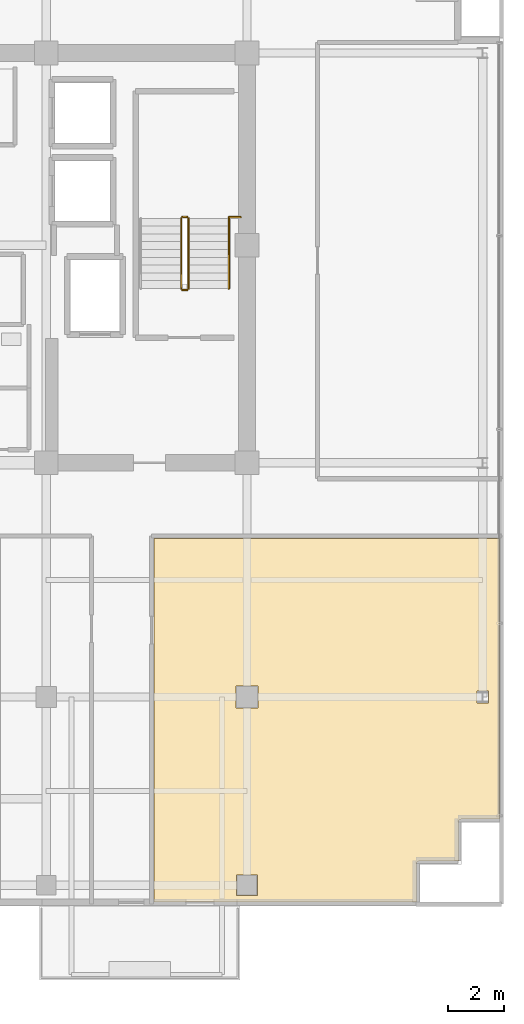
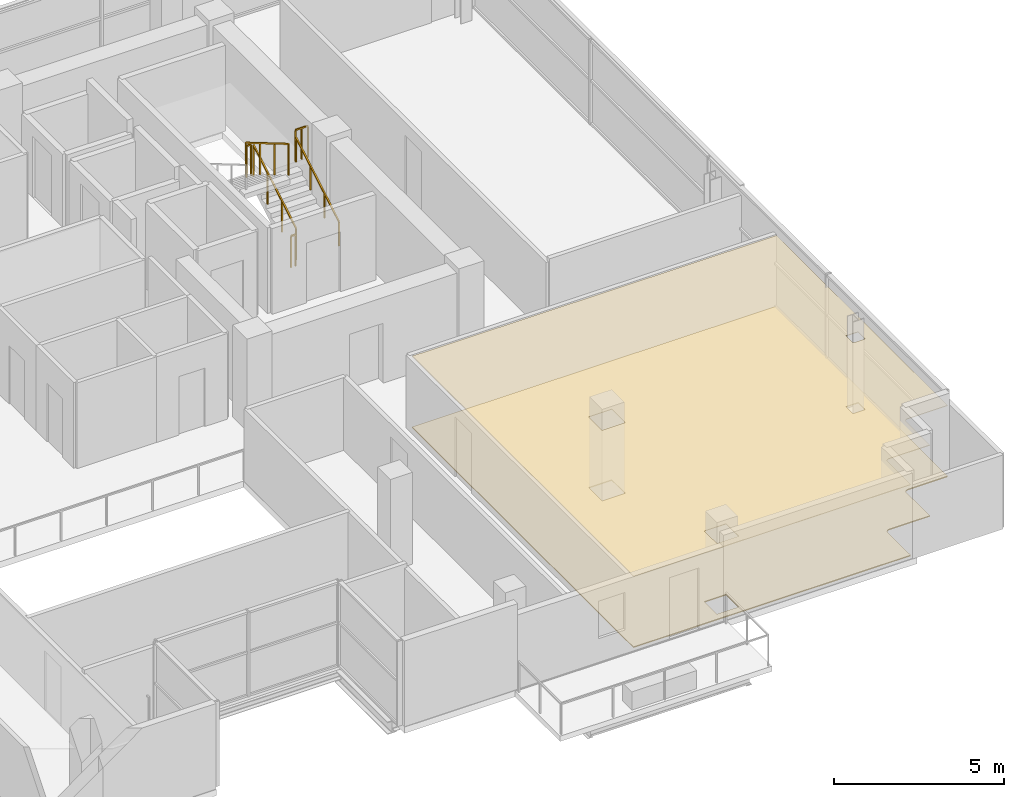
# One storey, part 22 of 24: 6 railings, 2 coverings.
"""IFC4 building model written with IfcOpenShell, lengths in metres."""

from ifc_helpers import new_model, si_unit, direction, frame, origin, origin_2d, place, context, subcontext, project, spatial, polyline, rectangle, outline, extrude, material, layer, layer_set, type_object, element, save


model = new_model("IFC4")

# Units and contexts
model_context = context("Model", 3, precision=1e-05, world=origin(), true_north=direction((0.0, 1.0)))
body_context = subcontext(model_context, "Body", "Model", "MODEL_VIEW")
ifc_project = project(units=[si_unit("LENGTHUNIT", "METRE"), si_unit("AREAUNIT", "SQUARE_METRE"), si_unit("VOLUMEUNIT", "CUBIC_METRE"), si_unit("PLANEANGLEUNIT", "RADIAN"), si_unit("MASSUNIT", "GRAM", prefix="KILO")], contexts=[model_context])

# Site, building, storey
site_placement = place(None, origin())
site = spatial("IfcSite", under=ifc_project, at=site_placement, CompositionType="ELEMENT")
building_placement = place(site_placement, origin())
building = spatial("IfcBuilding", under=site, at=building_placement, Name="Zarnakvel Exchange Tower", CompositionType="ELEMENT")
storey_placement = place(building_placement, frame((0.0, 0.0, 235.300048828125)))
storey = spatial("IfcBuildingStorey", under=building, at=storey_placement, Name="L66", CompositionType="ELEMENT", Elevation=235.300048828125)

# Coverings
ifc_material_1 = material(Name="Perforated Bronze Acoustic Metal Ceiling", Category="aluminium")
ifc_layer_1 = layer(ifc_material_1, 0.02001953125)
ifc_layer_set_1 = layer_set([ifc_layer_1], Name="Perforated Bronze Acoustic Metal Ceiling")
covering_type_1 = type_object("IfcCoveringType", Name="CLG-01", PredefinedType="CEILING", material=ifc_layer_set_1)
covering_1_placement = place(storey_placement, frame((0.0, 0.0, 2.554931640625)))
element("IfcCovering", 1, at=covering_1_placement, inside=storey, type_object=covering_type_1, Name="L66 Suspended Acoustic Ceiling (Seminar Room)", PredefinedType="CEILING", context=body_context, shape_type="SweptSolid", body=[
    extrude(outline(polyline([(11.06005859375, -3.909912109375), (23.449951171875, -3.909912109375), (23.449951171875, -13.97998046875), (22.10009765625, -13.97998046875), (22.088134765625, -13.98046875), (22.07666015625, -13.982421875), (22.065185546875, -13.985107421875), (22.05419921875, -13.989013671875), (22.04345703125, -13.994140625), (22.033447265625, -14.000244140625), (22.02392578125, -14.00732421875), (22.01513671875, -14.01513671875), (22.00732421875, -14.02392578125), (22.000244140625, -14.033447265625), (21.994140625, -14.04345703125), (21.989013671875, -14.05419921875), (21.985107421875, -14.065185546875), (21.982421875, -14.07666015625), (21.98046875, -14.088134765625), (21.97998046875, -14.10009765625), (21.97998046875, -15.47998046875), (20.60009765625, -15.47998046875), (20.588134765625, -15.48046875), (20.57666015625, -15.482421875), (20.565185546875, -15.485107421875), (20.55419921875, -15.489013671875), (20.54345703125, -15.494140625), (20.533447265625, -15.500244140625), (20.52392578125, -15.50732421875), (20.51513671875, -15.51513671875), (20.50732421875, -15.52392578125), (20.500244140625, -15.533447265625), (20.494140625, -15.54345703125), (20.489013671875, -15.55419921875), (20.485107421875, -15.565185546875), (20.482421875, -15.57666015625), (20.48046875, -15.588134765625), (20.47998046875, -15.60009765625), (20.47998046875, -16.949951171875), (11.06005859375, -16.949951171875), (11.06005859375, -3.909912109375)]), holes=[polyline([(23.057373046875, -9.807373046875), (23.057373046875, -9.392578125), (22.642578125, -9.392578125), (22.642578125, -9.807373046875), (23.057373046875, -9.807373046875)]), polyline([(14.794921875, -9.9951171875), (14.794921875, -9.205078125), (14.0048828125, -9.205078125), (14.0048828125, -9.9951171875), (14.794921875, -9.9951171875)]), polyline([(14.77001953125, -16.719970703125), (14.77001953125, -15.97998046875), (14.030029296875, -15.97998046875), (14.030029296875, -16.719970703125), (14.77001953125, -16.719970703125)])]), origin(), (0.0, 0.0, 1.0), 0.02001953125),
])
ifc_material_2 = material(Name="Heavy-Duty Raised Access Floor Panel", Category="steel")
ifc_layer_2 = layer(ifc_material_2, 0.034912109375)
ifc_layer_set_2 = layer_set([ifc_layer_2], Name="Heavy-Duty Raised Access Floor Panel")
covering_type_2 = type_object("IfcCoveringType", Name="FLR-02", PredefinedType="FLOORING", material=ifc_layer_set_2)
covering_2_placement = place(storey_placement, origin())
element("IfcCovering", 2, at=covering_2_placement, inside=storey, type_object=covering_type_2, Name="L66 Floor Finish (Seminar Room)", PredefinedType="FLOORING", context=body_context, shape_type="SweptSolid", body=[
    extrude(outline(polyline([(11.06005859375, -3.909912109375), (23.449951171875, -3.909912109375), (23.449951171875, -13.97998046875), (22.10009765625, -13.97998046875), (22.088134765625, -13.98046875), (22.07666015625, -13.982421875), (22.065185546875, -13.985107421875), (22.05419921875, -13.989013671875), (22.04345703125, -13.994140625), (22.033447265625, -14.000244140625), (22.02392578125, -14.00732421875), (22.01513671875, -14.01513671875), (22.00732421875, -14.02392578125), (22.000244140625, -14.033447265625), (21.994140625, -14.04345703125), (21.989013671875, -14.05419921875), (21.985107421875, -14.065185546875), (21.982421875, -14.07666015625), (21.98046875, -14.088134765625), (21.97998046875, -14.10009765625), (21.97998046875, -15.47998046875), (20.60009765625, -15.47998046875), (20.588134765625, -15.48046875), (20.57666015625, -15.482421875), (20.565185546875, -15.485107421875), (20.55419921875, -15.489013671875), (20.54345703125, -15.494140625), (20.533447265625, -15.500244140625), (20.52392578125, -15.50732421875), (20.51513671875, -15.51513671875), (20.50732421875, -15.52392578125), (20.500244140625, -15.533447265625), (20.494140625, -15.54345703125), (20.489013671875, -15.55419921875), (20.485107421875, -15.565185546875), (20.482421875, -15.57666015625), (20.48046875, -15.588134765625), (20.47998046875, -15.60009765625), (20.47998046875, -16.949951171875), (11.06005859375, -16.949951171875), (11.06005859375, -3.909912109375)]), holes=[polyline([(23.057373046875, -9.807373046875), (23.057373046875, -9.392578125), (22.642578125, -9.392578125), (22.642578125, -9.807373046875), (23.057373046875, -9.807373046875)]), polyline([(14.794921875, -9.9951171875), (14.794921875, -9.205078125), (14.0048828125, -9.205078125), (14.0048828125, -9.9951171875), (14.794921875, -9.9951171875)]), polyline([(14.77001953125, -16.719970703125), (14.77001953125, -15.97998046875), (14.030029296875, -15.97998046875), (14.030029296875, -16.719970703125), (14.77001953125, -16.719970703125)])]), origin(), (0.0, 0.0, 1.0), 0.034912109375),
])

# Railings
ifc_material_3 = material(Name="Brushed Stainless Steel", Category="steel")
railing_type_1 = type_object("IfcRailingType", Name="HR-01", PredefinedType="HANDRAIL", material=ifc_material_3)
railing_1_placement = place(storey_placement, frame((13.75, 5.050048828125, 0.1650390625)))
element("IfcRailing", 3, at=railing_1_placement, inside=storey, type_object=railing_type_1, Name="L66 ST-02 stair handrail 1", PredefinedType="HANDRAIL", context=body_context, shape_type="SweptSolid", body=[
    extrude(rectangle(XDim=0.048095703125, YDim=0.048095703125, at=origin_2d()), frame((0.0, 0.0, 0.8759765625), z_axis=(0.0, 0.861560626758, 0.507654692109), x_axis=(-1.0, 0.0, 0.0)), (0.0, 0.0, 1.0), 2.925048828125),
    extrude(rectangle(XDim=0.0419921875, YDim=0.0419921875, at=origin_2d()), origin(), (0.0, 0.0, 1.0), 0.851806640625),
    extrude(rectangle(XDim=0.0419921875, YDim=0.0419921875, at=origin_2d()), frame((0.0, 0.840087890625, 0.494873046875)), (0.0, 0.0, 1.0), 0.851806640625),
    extrude(rectangle(XDim=0.0419921875, YDim=0.0419921875, at=origin_2d()), frame((0.0, 1.679931640625, 0.989990234375)), (0.0, 0.0, 1.0), 0.851806640625),
    extrude(rectangle(XDim=0.0419921875, YDim=0.0419921875, at=origin_2d()), frame((0.0, 2.52001953125, 1.48486328125)), (0.0, 0.0, 1.0), 0.851806640625),
])
ifc_material_4 = material(Name="Architectural Bronze Anodised Aluminium", Category="aluminium")
railing_type_2 = type_object("IfcRailingType", Name="SG-01", PredefinedType="GUARDRAIL", material=ifc_material_4)
railing_2_placement = place(storey_placement, frame((12.300048828125, 5.050048828125, 0.1650390625)))
element("IfcRailing", 4, at=railing_2_placement, inside=storey, type_object=railing_type_2, Name="L66 ST-02 stair guard 1", PredefinedType="GUARDRAIL", context=body_context, shape_type="SweptSolid", body=[
    extrude(rectangle(XDim=0.048095703125, YDim=0.048095703125, at=origin_2d()), frame((0.0, 0.0, 1.1259765625), z_axis=(0.0, 0.861560626758, 0.507654692109), x_axis=(-1.0, 0.0, 0.0)), (0.0, 0.0, 1.0), 2.925048828125),
    extrude(rectangle(XDim=0.0419921875, YDim=0.0419921875, at=origin_2d()), origin(), (0.0, 0.0, 1.0), 1.101806640625),
    extrude(rectangle(XDim=0.0419921875, YDim=0.0419921875, at=origin_2d()), frame((0.0, 0.840087890625, 0.494873046875)), (0.0, 0.0, 1.0), 1.101806640625),
    extrude(rectangle(XDim=0.0419921875, YDim=0.0419921875, at=origin_2d()), frame((0.0, 1.679931640625, 0.989990234375)), (0.0, 0.0, 1.0), 1.101806640625),
    extrude(rectangle(XDim=0.0419921875, YDim=0.0419921875, at=origin_2d()), frame((0.0, 2.52001953125, 1.48486328125)), (0.0, 0.0, 1.0), 1.101806640625),
])
railing_3_placement = place(storey_placement, frame((12.25, 7.6201171875, 1.64990234375)))
element("IfcRailing", 5, at=railing_3_placement, inside=storey, type_object=railing_type_2, Name="L66 ST-02 stair guard 2", PredefinedType="GUARDRAIL", context=body_context, shape_type="SweptSolid", body=[
    extrude(rectangle(XDim=0.048095703125, YDim=0.048095703125, at=origin_2d()), frame((0.0, 0.0, 1.1259765625), z_axis=(-1.0, 0.0, 0.0), x_axis=(0.0, -1.0, 0.0)), (0.0, 0.0, 1.0), 0.159912109375),
    extrude(rectangle(XDim=0.0419921875, YDim=0.0419921875, at=origin_2d()), origin(), (0.0, 0.0, 1.0), 1.101806640625),
    extrude(rectangle(XDim=0.0419921875, YDim=0.0419921875, at=origin_2d()), frame((-0.159912109375, 0.0, 0.0)), (0.0, 0.0, 1.0), 1.101806640625),
])
railing_4_placement = place(storey_placement, frame((12.0400390625, 7.570068359375, 1.81494140625)))
element("IfcRailing", 6, at=railing_4_placement, inside=storey, type_object=railing_type_2, Name="L66 ST-02 stair guard 3", PredefinedType="GUARDRAIL", context=body_context, shape_type="SweptSolid", body=[
    extrude(rectangle(XDim=0.048095703125, YDim=0.048095703125, at=origin_2d()), frame((0.0, 0.0, 1.1259765625), z_axis=(0.0, -0.86152411907, 0.507716645641), x_axis=(1.0, 0.0, 0.0)), (0.0, 0.0, 1.0), 2.925048828125),
    extrude(rectangle(XDim=0.0419921875, YDim=0.0419921875, at=origin_2d()), origin(), (0.0, 0.0, 1.0), 1.101806640625),
    extrude(rectangle(XDim=0.0419921875, YDim=0.0419921875, at=origin_2d()), frame((0.0, -0.840087890625, 0.4951171875)), (0.0, 0.0, 1.0), 1.101806640625),
    extrude(rectangle(XDim=0.0419921875, YDim=0.0419921875, at=origin_2d()), frame((0.0, -1.679931640625, 0.989990234375)), (0.0, 0.0, 1.0), 1.101806640625),
    extrude(rectangle(XDim=0.0419921875, YDim=0.0419921875, at=origin_2d()), frame((0.0, -2.52001953125, 1.485107421875)), (0.0, 0.0, 1.0), 1.101806640625),
])
railing_5_placement = place(storey_placement, frame((12.25, 5.0, 0.0)))
element("IfcRailing", 7, at=railing_5_placement, inside=storey, type_object=railing_type_2, Name="L66 ST-02 stair guard 4", PredefinedType="GUARDRAIL", context=body_context, shape_type="SweptSolid", body=[
    extrude(rectangle(XDim=0.048095703125, YDim=0.048095703125, at=origin_2d()), frame((0.0, 0.0, 1.1259765625), z_axis=(-1.0, 0.0, 0.0), x_axis=(0.0, -1.0, 0.0)), (0.0, 0.0, 1.0), 0.159912109375),
    extrude(rectangle(XDim=0.0419921875, YDim=0.0419921875, at=origin_2d()), origin(), (0.0, 0.0, 1.0), 1.101806640625),
    extrude(rectangle(XDim=0.0419921875, YDim=0.0419921875, at=origin_2d()), frame((-0.159912109375, 0.0, 0.0)), (0.0, 0.0, 1.0), 1.101806640625),
])
railing_6_placement = place(storey_placement, frame((13.75, 7.610107421875, 1.64990234375)))
element("IfcRailing", 8, at=railing_6_placement, inside=storey, type_object=railing_type_2, Name="L66 ST-02 Landing Slot Guardrail", PredefinedType="GUARDRAIL", context=body_context, shape_type="SweptSolid", body=[
    extrude(rectangle(XDim=0.048095703125, YDim=0.048095703125, at=origin_2d()), frame((0.0, 0.0, 1.1259765625), z_axis=(1.0, 0.0, 0.0), x_axis=(0.0, 1.0, 0.0)), (0.0, 0.0, 1.0), 0.429931640625),
    extrude(rectangle(XDim=0.0419921875, YDim=0.0419921875, at=origin_2d()), origin(), (0.0, 0.0, 1.0), 1.101806640625),
    extrude(rectangle(XDim=0.0419921875, YDim=0.0419921875, at=origin_2d()), frame((0.21484375, 0.0, 0.0)), (0.0, 0.0, 1.0), 1.101806640625),
    extrude(rectangle(XDim=0.0419921875, YDim=0.0419921875, at=origin_2d()), frame((0.429931640625, 0.0, 0.0)), (0.0, 0.0, 1.0), 1.101806640625),
])

save(model, "model.ifc")
